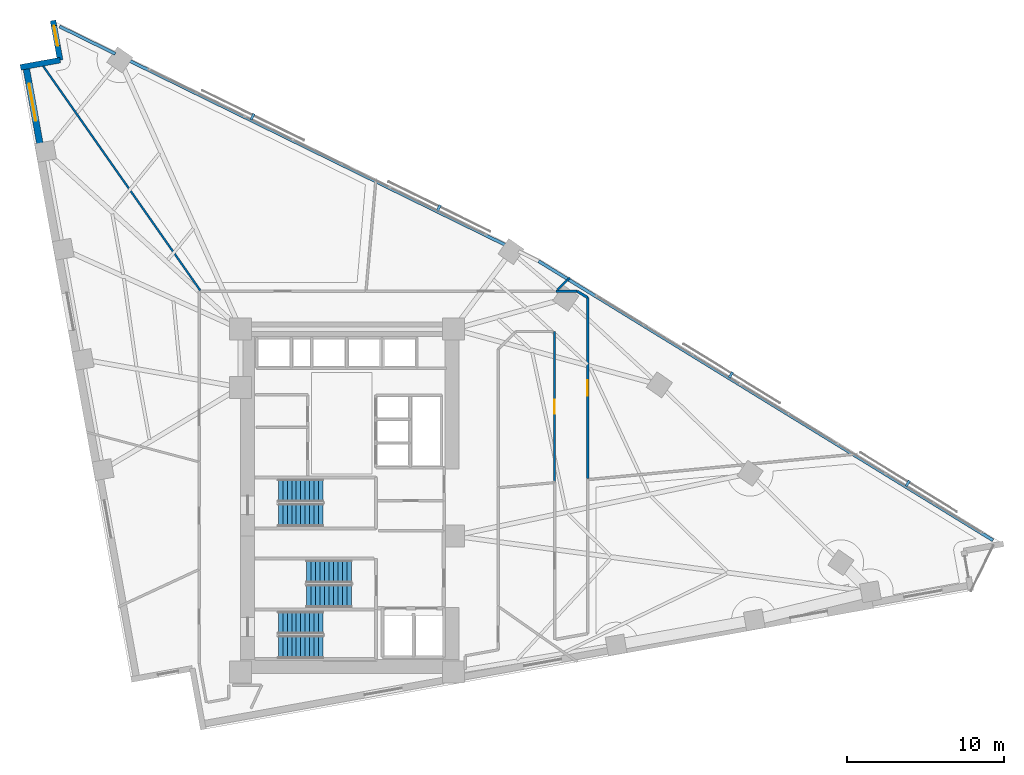
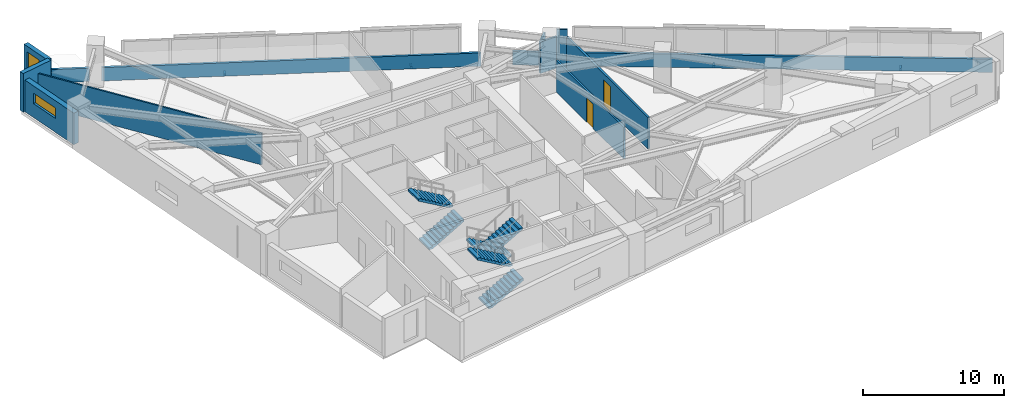
# One storey, part 16 of 18: 12 walls, 6 stair flights, 4 discrete accessories, 2 doors, 2 windows, 4 openings, 3 elements without a shape of their own.
"""IFC4 building model written with IfcOpenShell, lengths in metres."""

import ifcopenshell
import ifcopenshell.guid

model = None  # the IFC model being written
_history = None  # IfcOwnerHistory: only IFC2X3 demands one
_inside = {}  # id of a spatial element -> (the spatial element, [elements in it])
_under = {}  # id of a project, library or spatial element -> (it, [spatial elements below it])
_declared = {}  # id of a project -> (the project, [libraries it declares])
_typed = {}  # id of a type object -> (the type object, [elements of that type])
_made_of = {}  # id of a material, layer set ... -> (it, [elements and type objects made of it])


def new_model(schema):
    """Start an empty IFC model of exactly this schema.

    Asked for "IFC4X3", IfcOpenShell would pick the latest addendum, in which some entities
    have other attributes; the version numbers below select the first issue.
    IFC2X3 requires an IfcOwnerHistory on every rooted entity: one is made here for all.
    """
    global model, _history
    if schema == "IFC4X3":
        model = ifcopenshell.file(schema_version=(4, 3, 0, 0))
    else:
        model = ifcopenshell.file(schema=schema)
    _inside.clear()
    _under.clear()
    _declared.clear()
    _typed.clear()
    _made_of.clear()
    _history = None
    if model.schema == "IFC2X3":
        org = make("IfcOrganization", Name="unknown")
        user = make(
            "IfcPersonAndOrganization",
            ThePerson=make("IfcPerson", FamilyName="unknown"),
            TheOrganization=org,
        )
        app = make(
            "IfcApplication",
            ApplicationDeveloper=org,
            Version="unknown",
            ApplicationFullName="unknown",
            ApplicationIdentifier="unknown",
        )
        _history = make(
            "IfcOwnerHistory",
            OwningUser=user,
            OwningApplication=app,
            ChangeAction="ADDED",
            CreationDate=0,
        )
    return model


def make(cls, **values):
    """One entity of the class cls with the attributes given. An attribute that is None is left unset."""
    return model.create_entity(
        cls, **{name: value for name, value in values.items() if value is not None}
    )


def rooted(cls, **values):
    """An entity with a GlobalId (a new one), such as an element, a storey or a relation."""
    return make(cls, GlobalId=ifcopenshell.guid.new(), OwnerHistory=_history, **values)


def si_unit(unit_type, name, prefix=None):
    """IfcSIUnit, for example si_unit("LENGTHUNIT", "METRE", prefix="MILLI")."""
    return make("IfcSIUnit", UnitType=unit_type, Prefix=prefix, Name=name)


def assignment(units):
    """IfcUnitAssignment: the units of a project."""
    return None if units is None else make("IfcUnitAssignment", Units=units)


def point(xyz):
    """IfcCartesianPoint."""
    return None if xyz is None else make("IfcCartesianPoint", Coordinates=xyz)


def direction(xyz):
    """IfcDirection."""
    return None if xyz is None else make("IfcDirection", DirectionRatios=xyz)


def frame(location, z_axis=None, x_axis=None):
    """IfcAxis2Placement3D, a coordinate frame: its origin and axes. An axis left out is left unset."""
    return make(
        "IfcAxis2Placement3D",
        Location=point(location),
        Axis=direction(z_axis),
        RefDirection=direction(x_axis),
    )


def frame_2d(location, x_axis=None):
    """IfcAxis2Placement2D, a coordinate frame in the plane: its origin and x axis."""
    return make(
        "IfcAxis2Placement2D", Location=point(location), RefDirection=direction(x_axis)
    )


def origin():
    """The frame at (0, 0, 0) with its axes left unset."""
    return frame((0.0, 0.0, 0.0))


def origin_2d():
    """The frame at (0, 0) in the plane with its x axis left unset."""
    return frame_2d((0.0, 0.0))


def place(relative_to, where):
    """IfcLocalPlacement: puts the frame where relative to a parent placement (None: the world)."""
    return make(
        "IfcLocalPlacement", PlacementRelTo=relative_to, RelativePlacement=where
    )


def context(
    kind, dimensions, precision=None, world=None, true_north=None, identifier=None
):
    """IfcGeometricRepresentationContext, for example the 3D "Model" context."""
    return make(
        "IfcGeometricRepresentationContext",
        ContextIdentifier=identifier,
        ContextType=kind,
        CoordinateSpaceDimension=dimensions,
        Precision=precision,
        WorldCoordinateSystem=world,
        TrueNorth=true_north,
    )


def subcontext(parent, identifier, kind, view, scale=None):
    """IfcGeometricRepresentationSubContext, for example "Body" below "Model"."""
    return make(
        "IfcGeometricRepresentationSubContext",
        ContextIdentifier=identifier,
        ContextType=kind,
        ParentContext=parent,
        TargetScale=scale,
        TargetView=view,
    )


def project(units=None, contexts=None):
    """IfcProject with its units and contexts."""
    return rooted(
        "IfcProject",
        Name="project",
        RepresentationContexts=contexts,
        UnitsInContext=assignment(units),
    )


def spatial(cls, under=None, at=None, **own):
    """A site, building, storey or space (cls), placed at a placement, below another one or the project."""
    s = rooted(cls, ObjectPlacement=at, **own)
    if under is not None:
        _under.setdefault(under.id(), (under, []))[1].append(s)
    return s


def polyline(points):
    """IfcPolyline through the points."""
    return make("IfcPolyline", Points=[point(p) for p in points])


def profile(cls, at=None, kind="AREA", **sizes):
    """A parametric profile (cls). Its sizes go by their IFC names, for example OverallWidth=200.0."""
    return make(cls, ProfileType=kind, Position=at, **sizes)


def rectangle(**sizes):
    """IfcRectangleProfileDef."""
    return profile("IfcRectangleProfileDef", **sizes)


def outline(outer, holes=None, kind="AREA"):
    """IfcArbitraryClosedProfileDef: a profile drawn as a closed curve; with holes, ...WithVoids."""
    if holes is None:
        return make("IfcArbitraryClosedProfileDef", ProfileType=kind, OuterCurve=outer)
    return make(
        "IfcArbitraryProfileDefWithVoids",
        ProfileType=kind,
        OuterCurve=outer,
        InnerCurves=holes,
    )


def extrude(swept, where, along, depth):
    """IfcExtrudedAreaSolid: the profile swept, set in the frame where, extruded along a direction by depth."""
    return make(
        "IfcExtrudedAreaSolid",
        SweptArea=swept,
        Position=where,
        ExtrudedDirection=direction(along),
        Depth=depth,
    )


def shape(context_of_items, identifier, shape_type, items):
    """IfcShapeRepresentation: the items that make up one representation, for example the "Body"."""
    return make(
        "IfcShapeRepresentation",
        ContextOfItems=context_of_items,
        RepresentationIdentifier=identifier,
        RepresentationType=shape_type,
        Items=items,
    )


def material(Name=None, Category=None):
    """IfcMaterial."""
    return make("IfcMaterial", Name=Name, Category=Category)


def layer(
    of_material, thickness, ventilated=None, Name=None, Category=None, Priority=None
):
    """IfcMaterialLayer: one layer of a wall or slab, of a material (None: an air gap)."""
    return make(
        "IfcMaterialLayer",
        Material=of_material,
        LayerThickness=thickness,
        IsVentilated=ventilated,
        Name=Name,
        Category=Category,
        Priority=Priority,
    )


def layer_set(layers, Name=None):
    """IfcMaterialLayerSet."""
    return make("IfcMaterialLayerSet", MaterialLayers=layers, LayerSetName=Name)


def made_of(thing, what):
    """Note that an element or type object is made of a material, layer set ...; save() writes the relation."""
    if what is not None:
        _made_of.setdefault(what.id(), (what, []))[1].append(thing)
    return thing


def type_object(cls, material=None, **own):
    """A type object (cls), such as IfcWallType, which elements share."""
    return made_of(rooted(cls, **own), material)


def element(
    cls,
    number,
    at=None,
    inside=None,
    cuts=None,
    type_object=None,
    material=None,
    context=None,
    identifier="Body",
    shape_type=None,
    held_by="IfcProductDefinitionShape",
    body=None,
    shapes=None,
    **own,
):
    """One element of the class cls, such as IfcWall. Its Tag is "e" and its number.

    at: its placement. inside: the storey or other place that contains it. cuts: it is an
    opening in that element (IfcRelVoidsElement). A single representation is given by context,
    identifier, shape_type and body (its items); several are given by shapes. held_by: the class
    of the entity that holds the representations. save() writes the other relations.
    """
    e = rooted(cls, Tag="e%d" % number, ObjectPlacement=at, **own)
    if body is not None:
        shapes = [shape(context, identifier, shape_type, body)]
    if shapes is not None:
        e.Representation = make(held_by, Representations=shapes)
    if inside is not None:
        _inside.setdefault(inside.id(), (inside, []))[1].append(e)
    if cuts is not None:
        rooted(
            "IfcRelVoidsElement", RelatingBuildingElement=cuts, RelatedOpeningElement=e
        )
    if type_object is not None:
        _typed.setdefault(type_object.id(), (type_object, []))[1].append(e)
    return made_of(e, material)


def fill(opening, filler):
    """IfcRelFillsElement: the door or window that sits in an opening."""
    return rooted(
        "IfcRelFillsElement",
        RelatingOpeningElement=opening,
        RelatedBuildingElement=filler,
    )


def aggregate(whole, parts):
    """IfcRelAggregates: a whole, such as a stair, and the parts it consists of."""
    return rooted("IfcRelAggregates", RelatingObject=whole, RelatedObjects=parts)


def save(model, path):
    """Write the relations noted so far, then the file.

    IfcRelAggregates (storeys below a building ...), IfcRelContainedInSpatialStructure (elements
    in a storey), IfcRelDefinesByType, IfcRelAssociatesMaterial and IfcRelDeclares: one each for
    every whole, place, type object, material and project.
    """
    for whole, parts in _under.values():
        aggregate(whole, parts)
    for where, things in _inside.values():
        rooted(
            "IfcRelContainedInSpatialStructure",
            RelatedElements=things,
            RelatingStructure=where,
        )
    for kind, things in _typed.values():
        rooted("IfcRelDefinesByType", RelatedObjects=things, RelatingType=kind)
    for what, things in _made_of.values():
        rooted("IfcRelAssociatesMaterial", RelatedObjects=things, RelatingMaterial=what)
    for by, libraries in _declared.values():
        rooted("IfcRelDeclares", RelatingContext=by, RelatedDefinitions=libraries)
    model.write(path)


model = new_model("IFC4")

# Units and contexts
model_context = context("Model", 3, precision=1e-05, world=origin(), true_north=direction((0.0, 1.0)))
body_context = subcontext(model_context, "Body", "Model", "MODEL_VIEW")
ifc_project = project(units=[si_unit("LENGTHUNIT", "METRE"), si_unit("AREAUNIT", "SQUARE_METRE"), si_unit("VOLUMEUNIT", "CUBIC_METRE"), si_unit("PLANEANGLEUNIT", "RADIAN"), si_unit("MASSUNIT", "GRAM", prefix="KILO")], contexts=[model_context])

# Site, building, storey
site_placement = place(None, origin())
site = spatial("IfcSite", under=ifc_project, at=site_placement, CompositionType="ELEMENT")
building_placement = place(site_placement, origin())
building = spatial("IfcBuilding", under=site, at=building_placement, Name="Narakoshi Arena Tower", CompositionType="ELEMENT")
storey_placement = place(building_placement, frame((0.0, 0.0, 102.89990234375)))
storey = spatial("IfcBuildingStorey", under=building, at=storey_placement, Name="L27", CompositionType="ELEMENT", Elevation=102.89990234375)

# Wall, opening, door
ifc_material_1 = material(Name="Gypsum plasterboard fire-rated partition")
ifc_layer_1 = layer(ifc_material_1, 0.1650390625)
ifc_layer_set_1 = layer_set([ifc_layer_1], Name="Gypsum plasterboard fire-rated partition")
wall_type_1 = type_object("IfcWallType", Name="WL-CORR-165", PredefinedType="PARTITIONING", material=ifc_layer_set_1)
wall_1_placement = place(storey_placement, frame((94.07373046875, 46.988525390625, 0.0), z_axis=(0.0, 0.0, 1.0), x_axis=(0.0, 1.0, 0.0)))
wall_1 = element("IfcWall", 1, at=wall_1_placement, inside=storey, type_object=wall_type_1, Name="L27 Corridor Partition 05-1", PredefinedType="PARTITIONING", context=body_context, shape_type="SweptSolid", body=[
    extrude(rectangle(XDim=11.5234375, YDim=0.1650390625, at=frame_2d((5.76171875, 0.0))), origin(), (0.0, 0.0, 1.0), 2.72509765625),
])
opening_1_placement = place(wall_1_placement, frame((5.26171875, 0.0, 0.0)))
opening_1 = element("IfcOpeningElement", 2, at=opening_1_placement, cuts=wall_1, Name="Opening D-06", PredefinedType="OPENING", context=body_context, shape_type="SweptSolid", body=[
    extrude(rectangle(XDim=1.0, YDim=2.199951171875, at=frame_2d((0.5, 1.10009765625))), frame((0.0, 0.092529296875, 0.0), z_axis=(0.0, -1.0, 0.0), x_axis=(1.0, 0.0, 0.0)), (0.0, 0.0, 1.0), 0.18505859375),
])
ifc_material_2 = material(Name="Stained oak solid-core timber", Category="wood")
door_type_1 = type_object("IfcDoorType", Name="DR-OFF-1000", OperationType="NOTDEFINED", PredefinedType="DOOR", material=ifc_material_2)
door_1_placement = place(opening_1_placement, frame((1.0, 0.0, 0.0), z_axis=(0.0, 0.0, 1.0), x_axis=(-1.0, 0.0, 0.0)))
door_1 = element("IfcDoor", 3, at=door_1_placement, inside=storey, type_object=door_type_1, Name="DR-L27-019", OperationType="SINGLE_SWING_LEFT", OverallHeight=2.199951171875, OverallWidth=1.0, PredefinedType="DOOR", context=body_context, shape_type="SweptSolid", body=[
    extrude(rectangle(XDim=1.0, YDim=2.199951171875, at=frame_2d((0.5, 1.10009765625))), frame((0.0, 0.02490234375, 0.0), z_axis=(0.0, -1.0, 0.0), x_axis=(1.0, 0.0, 0.0)), (0.0, 0.0, 1.0), 0.050048828125),
])
fill(opening_1, door_1)

# Walls
wall_2_placement = place(storey_placement, frame((93.410888671875, 58.9189453125, 0.0), z_axis=(0.0, 0.0, 1.0), x_axis=(-1.0, 0.0, 0.0)))
element("IfcWall", 4, at=wall_2_placement, inside=storey, type_object=wall_type_1, Name="L27 Corridor Partition 05-2", PredefinedType="PARTITIONING", context=body_context, shape_type="SweptSolid", body=[
    extrude(rectangle(XDim=1.344482421875, YDim=0.1650390625, at=frame_2d((0.67236328125, 0.0))), origin(), (0.0, 0.0, 1.0), 2.72509765625),
])
wall_3_placement = place(storey_placement, frame((94.07373046875, 58.511962890625, 0.0), z_axis=(0.0, 0.0, 1.0), x_axis=(-0.852185958268, 0.52323903957, 0.0)))
element("IfcWall", 5, at=wall_3_placement, inside=storey, type_object=wall_type_1, Name="L27 Corridor Partition 05-3", PredefinedType="PARTITIONING", context=body_context, shape_type="SweptSolid", body=[
    extrude(rectangle(XDim=0.77783203125, YDim=0.1650390625, at=frame_2d((0.388916015625, 0.0))), origin(), (0.0, 0.0, 1.0), 3.340087890625),
])
ifc_material_3 = material(Name="Precast concrete C45/55", Category="concrete")
ifc_layer_2 = layer(ifc_material_3, 0.25)
ifc_layer_set_2 = layer_set([ifc_layer_2], Name="Precast concrete C45/55")
wall_type_2 = type_object("IfcWallType", Name="WL-PARA-250", PredefinedType="PARAPET", material=ifc_layer_set_2)
wall_4_placement = place(storey_placement, frame((119.86474609375, 43.0703125, 0.0), z_axis=(0.0, 0.0, 1.0), x_axis=(-0.852110824326, 0.52336138859, 0.0)))
element("IfcWall", 6, at=wall_4_placement, inside=storey, type_object=wall_type_2, Name="L27 Hypotenuse Sill Upstand Parapet 1-01", PredefinedType="PARAPET", context=body_context, shape_type="SweptSolid", body=[
    extrude(rectangle(XDim=33.931640625, YDim=0.199951171875, at=frame_2d((16.9658203125, 0.0))), origin(), (0.0, 0.0, 1.0), 1.150146484375),
])
wall_5_placement = place(storey_placement, frame((88.9208984375, 61.82275390625, 0.0), z_axis=(0.0, 0.0, 1.0), x_axis=(-0.897993533426, 0.440008652103, 0.0)))
element("IfcWall", 7, at=wall_5_placement, inside=storey, type_object=wall_type_2, Name="L27 Hypotenuse Sill Upstand Parapet 2-02", PredefinedType="PARAPET", context=body_context, shape_type="SweptSolid", body=[
    extrude(rectangle(XDim=26.86376953125, YDim=0.199951171875, at=frame_2d((13.431884765625, 0.0))), origin(), (0.0, 0.0, 1.0), 1.150146484375),
])
wall_6_placement = place(storey_placement, frame((64.031982421875, 74.01806640625, 0.0), z_axis=(0.0, 0.0, 1.0), x_axis=(-0.89799103332, 0.440013754417, 0.0)))
element("IfcWall", 8, at=wall_6_placement, inside=storey, type_object=wall_type_2, Name="L27 Hypotenuse Sill Upstand Parapet 2-03", PredefinedType="PARAPET", context=body_context, shape_type="SweptSolid", body=[
    extrude(rectangle(XDim=3.954833984375, YDim=0.199951171875, at=frame_2d((1.9775390625, 0.0))), origin(), (0.0, 0.0, 1.0), 1.150146484375),
])
ifc_layer_3 = layer(ifc_material_1, 0.125)
ifc_layer_set_3 = layer_set([ifc_layer_3], Name="Gypsum plasterboard fire-rated partition")
wall_type_3 = type_object("IfcWallType", Name="WL-PART-125", PredefinedType="PARTITIONING", material=ifc_layer_set_3)
wall_7_placement = place(storey_placement, frame((92.162841796875, 59.013427734375, 0.0), z_axis=(0.0, 0.0, 1.0), x_axis=(0.714245949636, 0.699894794543, 0.0)))
element("IfcWall", 9, at=wall_7_placement, inside=storey, type_object=wall_type_3, Name="L27 Inter-Room Partition 05-07", PredefinedType="PARTITIONING", context=body_context, shape_type="SweptSolid", body=[
    extrude(rectangle(XDim=1.105712890625, YDim=0.125, at=frame_2d((0.552734375, 0.0))), origin(), (0.0, 0.0, 1.0), 2.72509765625),
])
wall_8_placement = place(storey_placement, frame((69.4365234375, 58.962646484375, 0.0), z_axis=(0.0, 0.0, 1.0), x_axis=(-0.573649208849, 0.81910108362, 0.0)))
element("IfcWall", 10, at=wall_8_placement, inside=storey, type_object=wall_type_3, Name="L27 Inter-Room Partition 08-09", PredefinedType="PARTITIONING", context=body_context, shape_type="SweptSolid", body=[
    extrude(rectangle(XDim=17.623291015625, YDim=0.125, at=frame_2d((8.8115234375, 0.0))), origin(), (0.0, 0.0, 1.0), 2.72509765625),
])

# Wall, opening, window
ifc_layer_4 = layer(ifc_material_3, 0.419921875)
ifc_layer_set_4 = layer_set([ifc_layer_4], Name="Precast concrete C45/55")
wall_type_4 = type_object("IfcWallType", Name="WL-POD-420", PredefinedType="SOLIDWALL", material=ifc_layer_set_4)
wall_9_placement = place(storey_placement, frame((58.341796875, 73.2197265625, 0.0), z_axis=(0.0, 0.0, 1.0), x_axis=(0.177981837245, -0.984033772597, 0.0)))
wall_9 = element("IfcWall", 11, at=wall_9_placement, inside=storey, type_object=wall_type_4, Name="L27 Architectural Concrete Facade Wall LEGB-1", PredefinedType="SOLIDWALL", context=body_context, shape_type="SweptSolid", body=[
    extrude(rectangle(XDim=5.540283203125, YDim=0.419921875, at=frame_2d((2.77001953125, 0.0))), origin(), (0.0, 0.0, 1.0), 2.72509765625),
])
opening_2_placement = place(wall_9_placement, frame((1.11767578125, 0.0, 1.199951171875)))
opening_2 = element("IfcOpeningElement", 12, at=opening_2_placement, cuts=wall_9, Name="Opening WN-01", PredefinedType="OPENING", context=body_context, shape_type="SweptSolid", body=[
    extrude(rectangle(XDim=2.39990234375, YDim=0.89990234375, at=frame_2d((1.199951171875, 0.449951171875))), frame((0.0, 0.219970703125, 0.0), z_axis=(0.0, -1.0, 0.0), x_axis=(1.0, 0.0, 0.0)), (0.0, 0.0, 1.0), 0.43994140625),
])
ifc_material_4 = material(Name="Bronze-tinted low-E laminated glass", Category="glass")
window_type_1 = type_object("IfcWindowType", Name="WIN-SLT-24x09", PartitioningType="SINGLE_PANEL", PredefinedType="WINDOW", material=ifc_material_4)
window_1_placement = place(opening_2_placement, origin())
window_1 = element("IfcWindow", 13, at=window_1_placement, inside=storey, type_object=window_type_1, Name="L27 LEGB1 Horizontal Slot Window 1", OverallHeight=0.89990234375, OverallWidth=2.39990234375, PartitioningType="SINGLE_PANEL", PredefinedType="WINDOW", context=body_context, shape_type="SweptSolid", body=[
    extrude(rectangle(XDim=2.39990234375, YDim=0.89990234375, at=frame_2d((1.199951171875, 0.449951171875))), frame((0.0, 0.030029296875, 0.0), z_axis=(0.0, -1.0, 0.0), x_axis=(1.0, 0.0, 0.0)), (0.0, 0.0, 1.0), 0.06005859375),
])
fill(opening_2, window_1)

wall_10_placement = place(storey_placement, frame((60.066162109375, 76.139404296875, 0.0), z_axis=(0.0, 0.0, 1.0), x_axis=(0.177897493713, -0.984049024048, 0.0)))
wall_10 = element("IfcWall", 14, at=wall_10_placement, inside=storey, type_object=wall_type_4, Name="L27 Re-Entrant Corner Notch Wall NTN-1", PredefinedType="SOLIDWALL", context=body_context, shape_type="SweptSolid", body=[
    extrude(rectangle(XDim=2.56640625, YDim=0.360107421875, at=frame_2d((1.283203125, 0.0))), origin(), (0.0, 0.0, 1.0), 3.340087890625),
])
opening_3_placement = place(wall_10_placement, frame((0.340087890625, 0.0, 0.449951171875)))
opening_3 = element("IfcOpeningElement", 15, at=opening_3_placement, cuts=wall_10, Name="Opening WN-06", PredefinedType="OPENING", context=body_context, shape_type="SweptSolid", body=[
    extrude(rectangle(XDim=1.300048828125, YDim=2.39990234375, at=frame_2d((0.64990234375, 1.199951171875))), frame((0.0, 0.18994140625, 0.0), z_axis=(0.0, -1.0, 0.0), x_axis=(1.0, 0.0, 0.0)), (0.0, 0.0, 1.0), 0.380126953125),
])
window_type_2 = type_object("IfcWindowType", Name="WIN-NTC-16x24", PartitioningType="SINGLE_PANEL", PredefinedType="WINDOW", material=ifc_material_4)
window_2_placement = place(opening_3_placement, origin())
window_2 = element("IfcWindow", 16, at=window_2_placement, inside=storey, type_object=window_type_2, Name="L27 Corner Notch Window NTN", OverallHeight=2.39990234375, OverallWidth=1.300048828125, PartitioningType="SINGLE_PANEL", PredefinedType="WINDOW", context=body_context, shape_type="SweptSolid", body=[
    extrude(rectangle(XDim=1.300048828125, YDim=2.39990234375, at=frame_2d((0.64990234375, 1.199951171875))), frame((0.0, 0.030029296875, 0.0), z_axis=(0.0, -1.0, 0.0), x_axis=(1.0, 0.0, 0.0)), (0.0, 0.0, 1.0), 0.06005859375),
])
fill(opening_3, window_2)

# Wall
wall_11_placement = place(storey_placement, frame((60.522705078125, 73.614013671875, 0.0), z_axis=(0.0, 0.0, 1.0), x_axis=(-0.984046012923, -0.177914149102, 0.0)))
element("IfcWall", 17, at=wall_11_placement, inside=storey, type_object=wall_type_4, Name="L27 Re-Entrant Corner Notch Wall NTN-2", PredefinedType="SOLIDWALL", context=body_context, shape_type="SweptSolid", body=[
    extrude(rectangle(XDim=2.566162109375, YDim=0.360107421875, at=frame_2d((1.283203125, 0.0))), origin(), (0.0, 0.0, 1.0), 3.340087890625),
])

# Wall, opening, door
ifc_material_5 = material(Name="Moisture-resistant cement-board partition")
ifc_layer_5 = layer(ifc_material_5, 0.14501953125)
ifc_layer_set_5 = layer_set([ifc_layer_5], Name="Moisture-resistant cement-board partition")
wall_type_5 = type_object("IfcWallType", Name="WL-WET-145", PredefinedType="PARTITIONING", material=ifc_layer_set_5)
wall_12_placement = place(storey_placement, frame((91.9736328125, 56.35009765625, 0.0), z_axis=(0.0, 0.0, 1.0), x_axis=(0.0, -1.0, 0.0)))
wall_12 = element("IfcWall", 18, at=wall_12_placement, inside=storey, type_object=wall_type_5, Name="L27 Corridor Partition 06-1", PredefinedType="PARTITIONING", context=body_context, shape_type="SweptSolid", body=[
    extrude(rectangle(XDim=9.55078125, YDim=0.14501953125, at=frame_2d((4.775390625, 0.0))), origin(), (0.0, 0.0, 1.0), 2.72509765625),
])
opening_4_placement = place(wall_12_placement, frame((4.3251953125, 0.0, 0.0)))
opening_4 = element("IfcOpeningElement", 19, at=opening_4_placement, cuts=wall_12, Name="Opening D-08", PredefinedType="OPENING", context=body_context, shape_type="SweptSolid", body=[
    extrude(rectangle(XDim=0.89990234375, YDim=2.10009765625, at=frame_2d((0.449951171875, 1.050048828125))), frame((0.0, 0.08251953125, 0.0), z_axis=(0.0, -1.0, 0.0), x_axis=(1.0, 0.0, 0.0)), (0.0, 0.0, 1.0), 0.1650390625),
])
ifc_material_6 = material(Name="Moisture-resistant laminate timber", Category="wood")
door_type_2 = type_object("IfcDoorType", Name="DR-WC-900", OperationType="NOTDEFINED", PredefinedType="DOOR", material=ifc_material_6)
door_2_placement = place(opening_4_placement, frame((0.89990234375, 0.0, 0.0), z_axis=(0.0, 0.0, 1.0), x_axis=(-1.0, 0.0, 0.0)))
door_2 = element("IfcDoor", 20, at=door_2_placement, inside=storey, type_object=door_type_2, Name="DR-L27-020", OperationType="SINGLE_SWING_LEFT", OverallHeight=2.10009765625, OverallWidth=0.89990234375, PredefinedType="DOOR", context=body_context, shape_type="SweptSolid", body=[
    extrude(rectangle(XDim=0.89990234375, YDim=2.10009765625, at=frame_2d((0.449951171875, 1.050048828125))), frame((0.0, 0.02490234375, 0.0), z_axis=(0.0, -1.0, 0.0), x_axis=(1.0, 0.0, 0.0)), (0.0, 0.0, 1.0), 0.050048828125),
])
fill(opening_4, door_2)

# Stair, stair flights
ifc_material_7 = material(Name="Concrete C45/55", Category="concrete")
stair_type = type_object("IfcStairType", Name="STR-CORE-360", PredefinedType="TWO_STRAIGHT_RUN_STAIR", material=ifc_material_7)
stair_1_placement = place(storey_placement, origin())
stair_1 = element("IfcStair", 21, at=stair_1_placement, inside=storey, type_object=stair_type, Name="L27 Core Escape Stair ST1", PredefinedType="TWO_STRAIGHT_RUN_STAIR")
stair_flight_type = type_object("IfcStairFlightType", Name="FLT-145-160", PredefinedType="STRAIGHT", material=ifc_material_3)
stair_flight_1_placement = place(storey_placement, frame((74.39990234375, 36.27490234375, 0.0), z_axis=(0.0, 0.0, 1.0), x_axis=(1.0, 0.0, 0.0)))
stair_flight_1 = element("IfcStairFlight", 22, at=stair_flight_1_placement, type_object=stair_flight_type, Name="ST1 flight 1", NumberOfRisers=11, NumberOfTreads=10, PredefinedType="STRAIGHT", RiserHeight=0.163636364, TreadLength=0.285, context=body_context, shape_type="SweptSolid", body=[
    extrude(outline(polyline([(0.0, 0.0), (0.0, 0.16357421875), (0.284912109375, 0.16357421875), (0.284912109375, 0.327392578125), (0.570068359375, 0.327392578125), (0.570068359375, 0.490966796875), (0.85498046875, 0.490966796875), (0.85498046875, 0.654541015625), (1.139892578125, 0.654541015625), (1.139892578125, 0.818115234375), (1.425048828125, 0.818115234375), (1.425048828125, 0.98193359375), (1.7099609375, 0.98193359375), (1.7099609375, 1.1455078125), (1.9951171875, 1.1455078125), (1.9951171875, 1.30908203125), (2.280029296875, 1.30908203125), (2.280029296875, 1.47265625), (2.56494140625, 1.47265625), (2.56494140625, 1.636474609375), (2.85009765625, 1.636474609375), (2.85009765625, 1.800048828125), (2.85009765625, 1.463623046875), (0.301025390625, 0.0), (0.0, 0.0)])), frame((0.0, 0.72509765625, 0.0), z_axis=(0.0, -1.0, 0.0), x_axis=(1.0, 0.0, 0.0)), (0.0, 0.0, 1.0), 1.449951171875),
])
stair_flight_2_placement = place(storey_placement, frame((77.25, 37.824951171875, 1.800048828125), z_axis=(0.0, 0.0, 1.0), x_axis=(-1.0, 0.0, 0.0)))
stair_flight_2 = element("IfcStairFlight", 23, at=stair_flight_2_placement, type_object=stair_flight_type, Name="ST1 flight 2", NumberOfRisers=11, NumberOfTreads=10, PredefinedType="STRAIGHT", RiserHeight=0.163636364, TreadLength=0.285, context=body_context, shape_type="SweptSolid", body=[
    extrude(outline(polyline([(0.0, 0.0), (0.0, 0.16357421875), (0.284912109375, 0.16357421875), (0.284912109375, 0.327392578125), (0.570068359375, 0.327392578125), (0.570068359375, 0.490966796875), (0.85498046875, 0.490966796875), (0.85498046875, 0.654541015625), (1.139892578125, 0.654541015625), (1.139892578125, 0.818115234375), (1.425048828125, 0.818115234375), (1.425048828125, 0.98193359375), (1.7099609375, 0.98193359375), (1.7099609375, 1.1455078125), (1.9951171875, 1.1455078125), (1.9951171875, 1.30908203125), (2.280029296875, 1.30908203125), (2.280029296875, 1.47265625), (2.56494140625, 1.47265625), (2.56494140625, 1.636474609375), (2.85009765625, 1.636474609375), (2.85009765625, 1.800048828125), (2.85009765625, 1.463623046875), (0.301025390625, 0.0), (0.0, 0.0)])), frame((0.0, 0.72509765625, 0.0), z_axis=(0.0, -1.0, 0.0), x_axis=(1.0, 0.0, 0.0)), (0.0, 0.0, 1.0), 1.449951171875),
])
aggregate(stair_1, [stair_flight_1, stair_flight_2])

stair_2_placement = place(storey_placement, origin())
stair_2 = element("IfcStair", 24, at=stair_2_placement, inside=storey, type_object=stair_type, Name="L27 Core Escape Stair ST2", PredefinedType="TWO_STRAIGHT_RUN_STAIR")
stair_flight_3_placement = place(storey_placement, frame((79.050048828125, 41.074951171875, 0.0), z_axis=(0.0, 0.0, 1.0), x_axis=(-1.0, 0.0, 0.0)))
stair_flight_3 = element("IfcStairFlight", 25, at=stair_flight_3_placement, type_object=stair_flight_type, Name="ST2 flight 1", NumberOfRisers=11, NumberOfTreads=10, PredefinedType="STRAIGHT", RiserHeight=0.163636364, TreadLength=0.285, context=body_context, shape_type="SweptSolid", body=[
    extrude(outline(polyline([(0.0, 0.0), (0.0, 0.16357421875), (0.284912109375, 0.16357421875), (0.284912109375, 0.327392578125), (0.570068359375, 0.327392578125), (0.570068359375, 0.490966796875), (0.85498046875, 0.490966796875), (0.85498046875, 0.654541015625), (1.139892578125, 0.654541015625), (1.139892578125, 0.818115234375), (1.425048828125, 0.818115234375), (1.425048828125, 0.98193359375), (1.7099609375, 0.98193359375), (1.7099609375, 1.1455078125), (1.9951171875, 1.1455078125), (1.9951171875, 1.30908203125), (2.280029296875, 1.30908203125), (2.280029296875, 1.47265625), (2.56494140625, 1.47265625), (2.56494140625, 1.636474609375), (2.85009765625, 1.636474609375), (2.85009765625, 1.800048828125), (2.85009765625, 1.463623046875), (0.301025390625, 0.0), (0.0, 0.0)])), frame((0.0, 0.72509765625, 0.0), z_axis=(0.0, -1.0, 0.0), x_axis=(1.0, 0.0, 0.0)), (0.0, 0.0, 1.0), 1.449951171875),
])
stair_flight_4_placement = place(storey_placement, frame((76.199951171875, 39.52490234375, 1.800048828125), z_axis=(0.0, 0.0, 1.0), x_axis=(1.0, 0.0, 0.0)))
stair_flight_4 = element("IfcStairFlight", 26, at=stair_flight_4_placement, type_object=stair_flight_type, Name="ST2 flight 2", NumberOfRisers=11, NumberOfTreads=10, PredefinedType="STRAIGHT", RiserHeight=0.163636364, TreadLength=0.285, context=body_context, shape_type="SweptSolid", body=[
    extrude(outline(polyline([(0.0, 0.0), (0.0, 0.16357421875), (0.284912109375, 0.16357421875), (0.284912109375, 0.327392578125), (0.570068359375, 0.327392578125), (0.570068359375, 0.490966796875), (0.85498046875, 0.490966796875), (0.85498046875, 0.654541015625), (1.139892578125, 0.654541015625), (1.139892578125, 0.818115234375), (1.425048828125, 0.818115234375), (1.425048828125, 0.98193359375), (1.7099609375, 0.98193359375), (1.7099609375, 1.1455078125), (1.9951171875, 1.1455078125), (1.9951171875, 1.30908203125), (2.280029296875, 1.30908203125), (2.280029296875, 1.47265625), (2.56494140625, 1.47265625), (2.56494140625, 1.636474609375), (2.85009765625, 1.636474609375), (2.85009765625, 1.800048828125), (2.85009765625, 1.463623046875), (0.301025390625, 0.0), (0.0, 0.0)])), frame((0.0, 0.72509765625, 0.0), z_axis=(0.0, -1.0, 0.0), x_axis=(1.0, 0.0, 0.0)), (0.0, 0.0, 1.0), 1.449951171875),
])
aggregate(stair_2, [stair_flight_3, stair_flight_4])

stair_3_placement = place(storey_placement, origin())
stair_3 = element("IfcStair", 27, at=stair_3_placement, inside=storey, type_object=stair_type, Name="L27 Core Escape Stair ST3", PredefinedType="TWO_STRAIGHT_RUN_STAIR")
stair_flight_5_placement = place(storey_placement, frame((74.39990234375, 44.675048828125, 0.0), z_axis=(0.0, 0.0, 1.0), x_axis=(1.0, 0.0, 0.0)))
stair_flight_5 = element("IfcStairFlight", 28, at=stair_flight_5_placement, type_object=stair_flight_type, Name="ST3 flight 1", NumberOfRisers=11, NumberOfTreads=10, PredefinedType="STRAIGHT", RiserHeight=0.163636364, TreadLength=0.285, context=body_context, shape_type="SweptSolid", body=[
    extrude(outline(polyline([(0.0, 0.0), (0.0, 0.16357421875), (0.284912109375, 0.16357421875), (0.284912109375, 0.327392578125), (0.570068359375, 0.327392578125), (0.570068359375, 0.490966796875), (0.85498046875, 0.490966796875), (0.85498046875, 0.654541015625), (1.139892578125, 0.654541015625), (1.139892578125, 0.818115234375), (1.425048828125, 0.818115234375), (1.425048828125, 0.98193359375), (1.7099609375, 0.98193359375), (1.7099609375, 1.1455078125), (1.9951171875, 1.1455078125), (1.9951171875, 1.30908203125), (2.280029296875, 1.30908203125), (2.280029296875, 1.47265625), (2.56494140625, 1.47265625), (2.56494140625, 1.636474609375), (2.85009765625, 1.636474609375), (2.85009765625, 1.800048828125), (2.85009765625, 1.463623046875), (0.301025390625, 0.0), (0.0, 0.0)])), frame((0.0, 0.72509765625, 0.0), z_axis=(0.0, -1.0, 0.0), x_axis=(1.0, 0.0, 0.0)), (0.0, 0.0, 1.0), 1.449951171875),
])
stair_flight_6_placement = place(storey_placement, frame((77.25, 46.22509765625, 1.800048828125), z_axis=(0.0, 0.0, 1.0), x_axis=(-1.0, 0.0, 0.0)))
stair_flight_6 = element("IfcStairFlight", 29, at=stair_flight_6_placement, type_object=stair_flight_type, Name="ST3 flight 2", NumberOfRisers=11, NumberOfTreads=10, PredefinedType="STRAIGHT", RiserHeight=0.163636364, TreadLength=0.285, context=body_context, shape_type="SweptSolid", body=[
    extrude(outline(polyline([(0.0, 0.0), (0.0, 0.16357421875), (0.284912109375, 0.16357421875), (0.284912109375, 0.327392578125), (0.570068359375, 0.327392578125), (0.570068359375, 0.490966796875), (0.85498046875, 0.490966796875), (0.85498046875, 0.654541015625), (1.139892578125, 0.654541015625), (1.139892578125, 0.818115234375), (1.425048828125, 0.818115234375), (1.425048828125, 0.98193359375), (1.7099609375, 0.98193359375), (1.7099609375, 1.1455078125), (1.9951171875, 1.1455078125), (1.9951171875, 1.30908203125), (2.280029296875, 1.30908203125), (2.280029296875, 1.47265625), (2.56494140625, 1.47265625), (2.56494140625, 1.636474609375), (2.85009765625, 1.636474609375), (2.85009765625, 1.800048828125), (2.85009765625, 1.463623046875), (0.301025390625, 0.0), (0.0, 0.0)])), frame((0.0, 0.72509765625, 0.0), z_axis=(0.0, -1.0, 0.0), x_axis=(1.0, 0.0, 0.0)), (0.0, 0.0, 1.0), 1.449951171875),
])
aggregate(stair_3, [stair_flight_5, stair_flight_6])

# Discrete accessories
ifc_material_8 = material(Name="Structural steel S355J2", Category="steel")
discrete_accessory_type = type_object("IfcDiscreteAccessoryType", Name="ACC-BRK-SCR", PredefinedType="BRACKET", material=ifc_material_8)
for number, where, z_axis, x_axis, name in (
    (30, (114.442138671875, 46.6826171875, -0.080078125), (0.0, 0.0, 1.0), (-0.852110807003, 0.523361416794, 0.0), "L27 Solar Screen Support Bracket SHD-L27-SCR1-1"),
    (31, (103.1943359375, 53.5908203125, -0.080078125), (0.0, 0.0, 1.0), (-0.852110807003, 0.523361416794, 0.0), "L27 Solar Screen Support Bracket SHD-L27-SCR1-2"),
    (32, (84.6044921875, 64.205078125, -0.080078125), (0.0, 0.0, 1.0), (-0.897996860024, 0.440001862936, 0.0), "L27 Solar Screen Support Bracket SHD-L27-SCR2-1"),
    (33, (72.7509765625, 70.01318359375, -0.080078125), (0.0, 0.0, 1.0), (-0.897996860024, 0.440001862936, 0.0), "L27 Solar Screen Support Bracket SHD-L27-SCR2-2"),
):
    element("IfcDiscreteAccessory", number, at=place(storey_placement, frame(where, z_axis=z_axis, x_axis=x_axis)), inside=storey, type_object=discrete_accessory_type, Name=name, PredefinedType="BRACKET", context=body_context, shape_type="SweptSolid", body=[
        extrude(rectangle(XDim=0.159912109375, YDim=0.425048828125, at=origin_2d()), origin(), (0.0, 0.0, 1.0), 0.199951171875),
    ])

save(model, "model.ifc")
